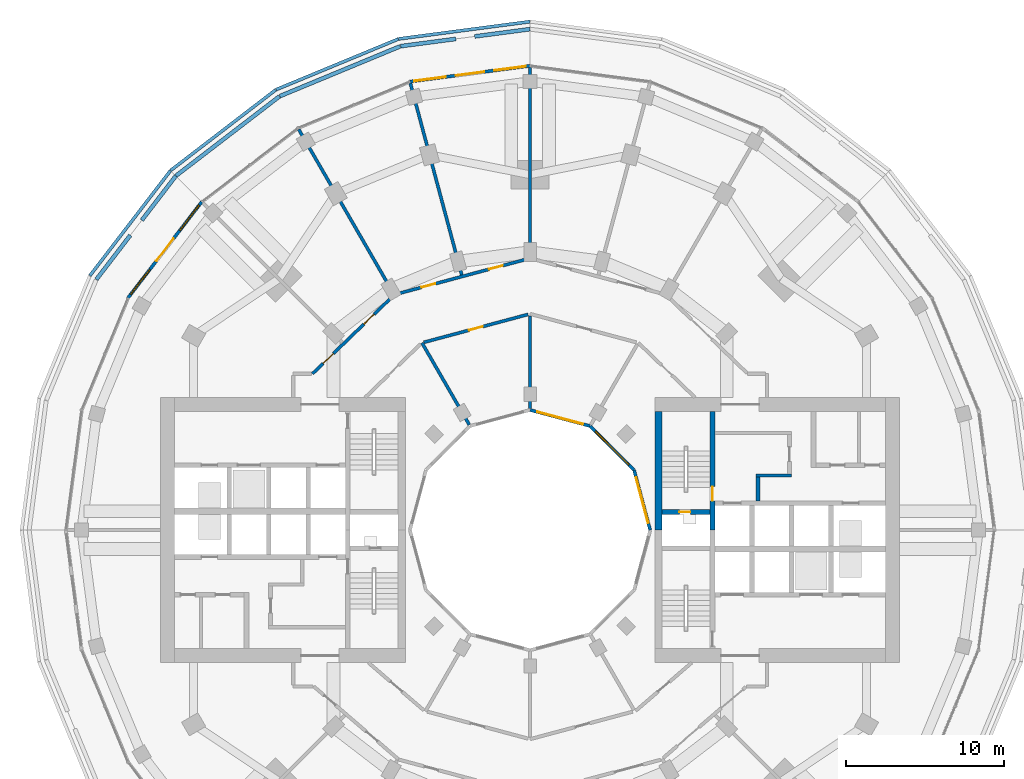
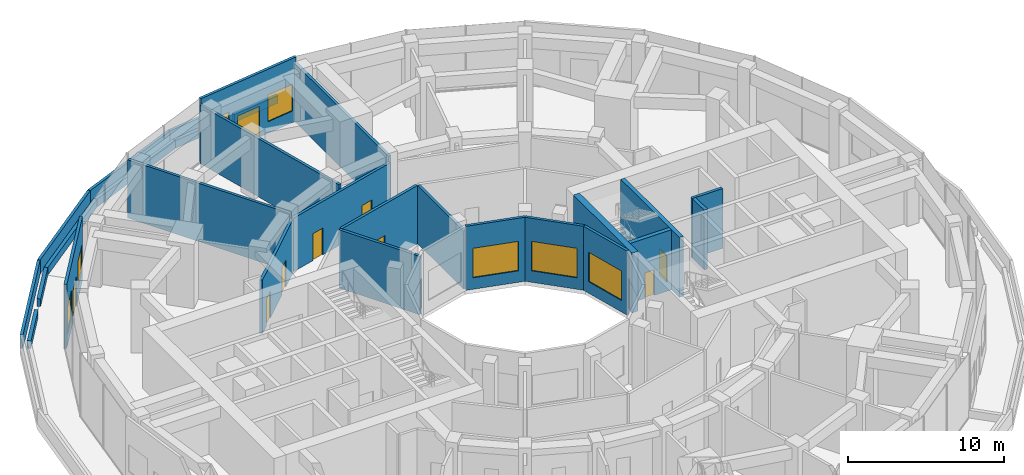
# One storey, part 15 of 19: 28 walls, 9 doors, 7 windows, 16 openings.
"""IFC4 building model written with IfcOpenShell, lengths in metres."""

from ifc_helpers import new_model, si_unit, direction, frame, frame_2d, origin, place, context, subcontext, project, spatial, rectangle, extrude, material, layer, layer_set, type_object, element, fill, save


model = new_model("IFC4")

# Units and contexts
model_context = context("Model", 3, precision=1e-05, world=origin(), true_north=direction((0.0, 1.0)))
body_context = subcontext(model_context, "Body", "Model", "MODEL_VIEW")
ifc_project = project(units=[si_unit("LENGTHUNIT", "METRE"), si_unit("AREAUNIT", "SQUARE_METRE"), si_unit("VOLUMEUNIT", "CUBIC_METRE"), si_unit("PLANEANGLEUNIT", "RADIAN"), si_unit("MASSUNIT", "GRAM", prefix="KILO")], contexts=[model_context])

# Site, building, storey
site_placement = place(None, origin())
site = spatial("IfcSite", under=ifc_project, at=site_placement, CompositionType="ELEMENT")
building_placement = place(site_placement, origin())
building = spatial("IfcBuilding", under=site, at=building_placement, Name="Torre Brocal", CompositionType="ELEMENT")
storey_placement = place(building_placement, frame((0.0, 0.0, 23.800048828125)))
storey = spatial("IfcBuildingStorey", under=building, at=storey_placement, Name="L04", CompositionType="ELEMENT", Elevation=23.800048828125)

# Walls
ifc_material_1 = material(Name="Concrete C80", Category="concrete")
ifc_layer_1 = layer(ifc_material_1, 0.199951171875)
ifc_layer_set_1 = layer_set([ifc_layer_1], Name="Concrete C80")
wall_type_1 = type_object("IfcWallType", Name="CORE WALL 200 C80", PredefinedType="SHEAR", material=ifc_layer_set_1)
wall_1_placement = place(storey_placement, frame((94.300048828125, 78.449951171875, 0.0), z_axis=(0.0, 0.0, 1.0), x_axis=(1.0, 0.0, 0.0)))
element("IfcWall", 1, at=wall_1_placement, inside=storey, type_object=wall_type_1, Name="Wall CW200-80", PredefinedType="SHEAR", context=body_context, shape_type="SweptSolid", body=[
    extrude(rectangle(XDim=2.25, YDim=0.199951171875, at=frame_2d((1.125, 0.0))), origin(), (0.0, 0.0, 1.0), 4.679931640625),
])
ifc_material_2 = material(Name="Concrete C80", Category="concrete")
ifc_layer_2 = layer(ifc_material_2, 0.25)
ifc_layer_set_2 = layer_set([ifc_layer_2], Name="Concrete C80")
wall_type_2 = type_object("IfcWallType", Name="CORE WALL 250 C80", PredefinedType="SHEAR", material=ifc_layer_set_2)
wall_2_placement = place(storey_placement, frame((94.425048828125, 76.85009765625, 0.0), z_axis=(0.0, 0.0, 1.0), x_axis=(0.0, 1.0, 0.0)))
element("IfcWall", 2, at=wall_2_placement, inside=storey, type_object=wall_type_2, Name="Wall CW250-80", PredefinedType="SHEAR", context=body_context, shape_type="SweptSolid", body=[
    extrude(rectangle(XDim=1.5, YDim=0.25, at=frame_2d((0.75, 0.0))), origin(), (0.0, 0.0, 1.0), 4.679931640625),
])

# Wall, opening, door
ifc_material_3 = material(Name="Concrete C80", Category="concrete")
ifc_layer_3 = layer(ifc_material_3, 0.300048828125)
ifc_layer_set_3 = layer_set([ifc_layer_3], Name="Concrete C80")
wall_type_3 = type_object("IfcWallType", Name="CORE WALL 300 C80", PredefinedType="SHEAR", material=ifc_layer_set_3)
wall_3_placement = place(storey_placement, frame((91.550048828125, 75.0, 0.0), z_axis=(0.0, 0.0, 1.0), x_axis=(0.0, 1.0, 0.0)))
wall_3 = element("IfcWall", 3, at=wall_3_placement, inside=storey, type_object=wall_type_3, Name="Wall CW300-80", PredefinedType="SHEAR", context=body_context, shape_type="SweptSolid", body=[
    extrude(rectangle(XDim=7.5, YDim=0.300048828125, at=frame_2d((3.75, 0.0))), origin(), (0.0, 0.0, 1.0), 4.679931640625),
])
opening_1_placement = place(wall_3_placement, frame((1.85009765625, 0.0, 0.0)))
opening_1 = element("IfcOpeningElement", 4, at=opening_1_placement, cuts=wall_3, Name="Opening E-D02", PredefinedType="OPENING", context=body_context, shape_type="SweptSolid", body=[
    extrude(rectangle(XDim=0.89990234375, YDim=2.10009765625, at=frame_2d((0.449951171875, 1.050048828125))), frame((0.0, 0.159912109375, 0.0), z_axis=(0.0, -1.0, 0.0), x_axis=(1.0, 0.0, 0.0)), (0.0, 0.0, 1.0), 0.320068359375),
])
ifc_material_4 = material(Name="Steel A653", Category="steel")
door_type_1 = type_object("IfcDoorType", Name="STAIR DOOR FD120 900X2100", OperationType="SINGLE_SWING_RIGHT", PredefinedType="DOOR", material=ifc_material_4)
door_1_placement = place(opening_1_placement, origin())
door_1 = element("IfcDoor", 5, at=door_1_placement, inside=storey, type_object=door_type_1, Name="Door E-D02", OperationType="SINGLE_SWING_LEFT", OverallHeight=2.10009765625, OverallWidth=0.89990234375, PredefinedType="DOOR", context=body_context, shape_type="SweptSolid", body=[
    extrude(rectangle(XDim=0.89990234375, YDim=2.10009765625, at=frame_2d((0.449951171875, 1.050048828125))), frame((0.0, 0.02490234375, 0.0), z_axis=(0.0, -1.0, 0.0), x_axis=(1.0, 0.0, 0.0)), (0.0, 0.0, 1.0), 0.050048828125),
])
fill(opening_1, door_1)

wall_4_placement = place(storey_placement, frame((88.35009765625, 76.14990234375, 0.0), z_axis=(0.0, 0.0, 1.0), x_axis=(1.0, 0.0, 0.0)))
wall_4 = element("IfcWall", 6, at=wall_4_placement, inside=storey, type_object=wall_type_3, Name="Wall CW300-80", PredefinedType="SHEAR", context=body_context, shape_type="SweptSolid", body=[
    extrude(rectangle(XDim=3.0498046875, YDim=0.300048828125, at=frame_2d((1.52490234375, 0.0))), origin(), (0.0, 0.0, 1.0), 4.679931640625),
])
opening_2_placement = place(wall_4_placement, frame((1.10009765625, 0.0, 0.0)))
opening_2 = element("IfcOpeningElement", 7, at=opening_2_placement, cuts=wall_4, Name="Opening E-D01", PredefinedType="OPENING", context=body_context, shape_type="SweptSolid", body=[
    extrude(rectangle(XDim=0.699951171875, YDim=2.0, at=frame_2d((0.35009765625, 1.0))), frame((0.0, 0.159912109375, 0.0), z_axis=(0.0, -1.0, 0.0), x_axis=(1.0, 0.0, 0.0)), (0.0, 0.0, 1.0), 0.320068359375),
])
ifc_material_5 = material(Name="Steel A653", Category="steel")
door_type_2 = type_object("IfcDoorType", Name="RISER DOOR FD120 700X2000", OperationType="SINGLE_SWING_LEFT", PredefinedType="DOOR", material=ifc_material_5)
door_2_placement = place(opening_2_placement, frame((0.699951171875, 0.0, 0.0), z_axis=(0.0, 0.0, 1.0), x_axis=(-1.0, 0.0, 0.0)))
door_2 = element("IfcDoor", 8, at=door_2_placement, inside=storey, type_object=door_type_2, Name="Door E-D01", OperationType="SINGLE_SWING_RIGHT", OverallHeight=2.0, OverallWidth=0.699951171875, PredefinedType="DOOR", context=body_context, shape_type="SweptSolid", body=[
    extrude(rectangle(XDim=0.699951171875, YDim=2.0, at=frame_2d((0.35009765625, 1.0))), frame((0.0, 0.02490234375, 0.0), z_axis=(0.0, -1.0, 0.0), x_axis=(1.0, 0.0, 0.0)), (0.0, 0.0, 1.0), 0.050048828125),
])
fill(opening_2, door_2)

# Wall
ifc_material_6 = material(Name="Concrete C80", Category="concrete")
ifc_layer_4 = layer(ifc_material_6, 0.449951171875)
ifc_layer_set_4 = layer_set([ifc_layer_4], Name="Concrete C80")
wall_type_4 = type_object("IfcWallType", Name="CORE WALL 450 C80", PredefinedType="SHEAR", material=ifc_layer_set_4)
wall_5_placement = place(storey_placement, frame((88.125, 75.0, 0.0), z_axis=(0.0, 0.0, 1.0), x_axis=(0.0, 1.0, 0.0)))
element("IfcWall", 9, at=wall_5_placement, inside=storey, type_object=wall_type_4, Name="Wall CW450-80", PredefinedType="SHEAR", context=body_context, shape_type="SweptSolid", body=[
    extrude(rectangle(XDim=7.5, YDim=0.449951171875, at=frame_2d((3.75, 0.0))), origin(), (0.0, 0.0, 1.0), 4.679931640625),
])

# Wall, openings, windows, door
ifc_material_7 = material(Name="Concrete C40", Category="concrete")
ifc_layer_5 = layer(ifc_material_7, 0.199951171875)
ifc_layer_set_5 = layer_set([ifc_layer_5], Name="Concrete C40")
wall_type_5 = type_object("IfcWallType", Name="EXTERNAL WALL 200", PredefinedType="NOTDEFINED", material=ifc_layer_set_5)
wall_6_placement = place(storey_placement, frame((80.0, 104.399169921875, 0.0), z_axis=(0.0, 0.0, 1.0), x_axis=(-0.991445739805, -0.130519519698, 0.0)))
wall_6 = element("IfcWall", 10, at=wall_6_placement, inside=storey, type_object=wall_type_5, Name="EXTERNAL WALL", PredefinedType="NOTDEFINED", context=body_context, shape_type="SweptSolid", body=[
    extrude(rectangle(XDim=7.6748046875, YDim=0.199951171875, at=frame_2d((3.83740234375, 0.0))), origin(), (0.0, 0.0, 1.0), 5.0),
])
opening_3_placement = place(wall_6_placement, frame((0.279052734375, 0.0, 0.89990234375)))
opening_3 = element("IfcOpeningElement", 11, at=opening_3_placement, cuts=wall_6, Name="Opening W8", PredefinedType="OPENING", context=body_context, shape_type="SweptSolid", body=[
    extrude(rectangle(XDim=2.0, YDim=2.10009765625, at=frame_2d((1.0, 1.050048828125))), frame((0.0, 0.10986328125, 0.0), z_axis=(0.0, -1.0, 0.0), x_axis=(1.0, 0.0, 0.0)), (0.0, 0.0, 1.0), 0.219970703125),
])
opening_4_placement = place(wall_6_placement, frame((2.937255859375, 0.0, 0.0)))
opening_4 = element("IfcOpeningElement", 12, at=opening_4_placement, cuts=wall_6, Name="Opening L04-E03", PredefinedType="OPENING", context=body_context, shape_type="SweptSolid", body=[
    extrude(rectangle(XDim=1.800048828125, YDim=2.39990234375, at=frame_2d((0.89990234375, 1.199951171875))), frame((0.0, 0.10986328125, 0.0), z_axis=(0.0, -1.0, 0.0), x_axis=(1.0, 0.0, 0.0)), (0.0, 0.0, 1.0), 0.219970703125),
])
opening_5_placement = place(wall_6_placement, frame((5.3955078125, 0.0, 0.89990234375)))
opening_5 = element("IfcOpeningElement", 13, at=opening_5_placement, cuts=wall_6, Name="Opening W8", PredefinedType="OPENING", context=body_context, shape_type="SweptSolid", body=[
    extrude(rectangle(XDim=2.0, YDim=2.10009765625, at=frame_2d((1.0, 1.050048828125))), frame((0.0, 0.10986328125, 0.0), z_axis=(0.0, -1.0, 0.0), x_axis=(1.0, 0.0, 0.0)), (0.0, 0.0, 1.0), 0.219970703125),
])
ifc_material_8 = material(Name="Aluminium and glass", Category="aluminium")
window_type_1 = type_object("IfcWindowType", Name="PODIUM WINDOW 2000X2100", PartitioningType="SINGLE_PANEL", PredefinedType="WINDOW", material=ifc_material_8)
window_1_placement = place(opening_3_placement, origin())
window_1 = element("IfcWindow", 14, at=window_1_placement, inside=storey, type_object=window_type_1, Name="PODIUM WINDOW 2000X2100", OverallHeight=2.10009765625, OverallWidth=2.0, PartitioningType="SINGLE_PANEL", PredefinedType="WINDOW", context=body_context, shape_type="SweptSolid", body=[
    extrude(rectangle(XDim=2.0, YDim=2.10009765625, at=frame_2d((1.0, 1.050048828125))), frame((0.0, 0.030029296875, 0.0), z_axis=(0.0, -1.0, 0.0), x_axis=(1.0, 0.0, 0.0)), (0.0, 0.0, 1.0), 0.06005859375),
])
fill(opening_3, window_1)
window_2_placement = place(opening_5_placement, origin())
window_2 = element("IfcWindow", 15, at=window_2_placement, inside=storey, type_object=window_type_1, Name="PODIUM WINDOW 2000X2100", OverallHeight=2.10009765625, OverallWidth=2.0, PartitioningType="SINGLE_PANEL", PredefinedType="WINDOW", context=body_context, shape_type="SweptSolid", body=[
    extrude(rectangle(XDim=2.0, YDim=2.10009765625, at=frame_2d((1.0, 1.050048828125))), frame((0.0, 0.030029296875, 0.0), z_axis=(0.0, -1.0, 0.0), x_axis=(1.0, 0.0, 0.0)), (0.0, 0.0, 1.0), 0.06005859375),
])
fill(opening_5, window_2)
ifc_material_9 = material(Name="Aluminium and glass", Category="aluminium")
door_type_3 = type_object("IfcDoorType", Name="TERRACE DOUBLE DOOR 1800X2400", OperationType="DOUBLE_DOOR_SINGLE_SWING", PredefinedType="DOOR", material=ifc_material_9)
door_3_placement = place(opening_4_placement, frame((1.800048828125, 0.0, 0.0), z_axis=(0.0, 0.0, 1.0), x_axis=(-1.0, 0.0, 0.0)))
door_3 = element("IfcDoor", 16, at=door_3_placement, inside=storey, type_object=door_type_3, Name="DOOR L04-E03", OperationType="DOUBLE_DOOR_SINGLE_SWING", OverallHeight=2.39990234375, OverallWidth=1.800048828125, PredefinedType="DOOR", context=body_context, shape_type="SweptSolid", body=[
    extrude(rectangle(XDim=1.800048828125, YDim=2.39990234375, at=frame_2d((0.89990234375, 1.199951171875))), frame((0.0, 0.02490234375, 0.0), z_axis=(0.0, -1.0, 0.0), x_axis=(1.0, 0.0, 0.0)), (0.0, 0.0, 1.0), 0.050048828125),
])
fill(opening_4, door_3)

wall_7_placement = place(storey_placement, frame((59.211669921875, 95.788330078125, 0.0), z_axis=(0.0, 0.0, 1.0), x_axis=(-0.608758724447, -0.793355415567, 0.0)))
wall_7 = element("IfcWall", 17, at=wall_7_placement, inside=storey, type_object=wall_type_5, Name="EXTERNAL WALL", PredefinedType="NOTDEFINED", context=body_context, shape_type="SweptSolid", body=[
    extrude(rectangle(XDim=7.6748046875, YDim=0.199951171875, at=frame_2d((3.83740234375, 0.0))), origin(), (0.0, 0.0, 1.0), 5.0),
])
opening_6_placement = place(wall_7_placement, frame((0.279052734375, 0.0, 0.89990234375)))
opening_6 = element("IfcOpeningElement", 18, at=opening_6_placement, cuts=wall_7, Name="Opening W8", PredefinedType="OPENING", context=body_context, shape_type="SweptSolid", body=[
    extrude(rectangle(XDim=2.0, YDim=2.10009765625, at=frame_2d((1.0, 1.050048828125))), frame((0.0, 0.10986328125, 0.0), z_axis=(0.0, -1.0, 0.0), x_axis=(1.0, 0.0, 0.0)), (0.0, 0.0, 1.0), 0.219970703125),
])
opening_7_placement = place(wall_7_placement, frame((2.937255859375, 0.0, 0.0)))
opening_7 = element("IfcOpeningElement", 19, at=opening_7_placement, cuts=wall_7, Name="Opening L04-E04", PredefinedType="OPENING", context=body_context, shape_type="SweptSolid", body=[
    extrude(rectangle(XDim=1.800048828125, YDim=2.39990234375, at=frame_2d((0.89990234375, 1.199951171875))), frame((0.0, 0.10986328125, 0.0), z_axis=(0.0, -1.0, 0.0), x_axis=(1.0, 0.0, 0.0)), (0.0, 0.0, 1.0), 0.219970703125),
])
opening_8_placement = place(wall_7_placement, frame((5.3955078125, 0.0, 0.89990234375)))
opening_8 = element("IfcOpeningElement", 20, at=opening_8_placement, cuts=wall_7, Name="Opening W8", PredefinedType="OPENING", context=body_context, shape_type="SweptSolid", body=[
    extrude(rectangle(XDim=2.0, YDim=2.10009765625, at=frame_2d((1.0, 1.050048828125))), frame((0.0, 0.10986328125, 0.0), z_axis=(0.0, -1.0, 0.0), x_axis=(1.0, 0.0, 0.0)), (0.0, 0.0, 1.0), 0.219970703125),
])
window_3_placement = place(opening_6_placement, origin())
window_3 = element("IfcWindow", 21, at=window_3_placement, inside=storey, type_object=window_type_1, Name="PODIUM WINDOW 2000X2100", OverallHeight=2.10009765625, OverallWidth=2.0, PartitioningType="SINGLE_PANEL", PredefinedType="WINDOW", context=body_context, shape_type="SweptSolid", body=[
    extrude(rectangle(XDim=2.0, YDim=2.10009765625, at=frame_2d((1.0, 1.050048828125))), frame((0.0, 0.030029296875, 0.0), z_axis=(0.0, -1.0, 0.0), x_axis=(1.0, 0.0, 0.0)), (0.0, 0.0, 1.0), 0.06005859375),
])
fill(opening_6, window_3)
window_4_placement = place(opening_8_placement, origin())
window_4 = element("IfcWindow", 22, at=window_4_placement, inside=storey, type_object=window_type_1, Name="PODIUM WINDOW 2000X2100", OverallHeight=2.10009765625, OverallWidth=2.0, PartitioningType="SINGLE_PANEL", PredefinedType="WINDOW", context=body_context, shape_type="SweptSolid", body=[
    extrude(rectangle(XDim=2.0, YDim=2.10009765625, at=frame_2d((1.0, 1.050048828125))), frame((0.0, 0.030029296875, 0.0), z_axis=(0.0, -1.0, 0.0), x_axis=(1.0, 0.0, 0.0)), (0.0, 0.0, 1.0), 0.06005859375),
])
fill(opening_8, window_4)
door_4_placement = place(opening_7_placement, frame((1.800048828125, 0.0, 0.0), z_axis=(0.0, 0.0, 1.0), x_axis=(-1.0, 0.0, 0.0)))
door_4 = element("IfcDoor", 23, at=door_4_placement, inside=storey, type_object=door_type_3, Name="DOOR L04-E04", OperationType="DOUBLE_DOOR_SINGLE_SWING", OverallHeight=2.39990234375, OverallWidth=1.800048828125, PredefinedType="DOOR", context=body_context, shape_type="SweptSolid", body=[
    extrude(rectangle(XDim=1.800048828125, YDim=2.39990234375, at=frame_2d((0.89990234375, 1.199951171875))), frame((0.0, 0.02490234375, 0.0), z_axis=(0.0, -1.0, 0.0), x_axis=(1.0, 0.0, 0.0)), (0.0, 0.0, 1.0), 0.050048828125),
])
fill(opening_7, door_4)

# Walls
ifc_material_10 = material(Name="Concrete C40", Category="concrete")
ifc_layer_6 = layer(ifc_material_10, 0.199951171875)
ifc_layer_set_6 = layer_set([ifc_layer_6], Name="Concrete C40")
wall_type_6 = type_object("IfcWallType", Name="PARAPET WALL 200 THICK 1100 HIGH 4", PredefinedType="PARAPET", material=ifc_layer_set_6)
for number, where, z_axis, x_axis, name in (
    (24, (52.124267578125, 91.109130859375, 0.0), (0.0, 0.0, 1.0), (0.60876547779, 0.793350233536, 0.0), "PARAPET WALL 15"),
    (25, (57.243408203125, 97.77490234375, 0.0), (0.0, 0.0, 1.0), (0.793350233536, 0.60876547779, 0.0), "PARAPET WALL 16"),
):
    element("IfcWall", number, at=place(storey_placement, frame(where, z_axis=z_axis, x_axis=x_axis)), inside=storey, type_object=wall_type_6, Name=name, PredefinedType="PARAPET", context=body_context, shape_type="SweptSolid", body=[
        extrude(rectangle(XDim=8.37890625, YDim=0.199951171875, at=frame_2d((4.189453125, 0.0))), origin(), (0.0, 0.0, 1.0), 1.099853515625),
    ])
wall_8_placement = place(storey_placement, frame((63.91357421875, 102.888916015625, 0.0), z_axis=(0.0, 0.0, 1.0), x_axis=(0.923884368379, 0.382671757338, 0.0)))
element("IfcWall", 26, at=wall_8_placement, inside=storey, type_object=wall_type_6, Name="PARAPET WALL 17", PredefinedType="PARAPET", context=body_context, shape_type="SweptSolid", body=[
    extrude(rectangle(XDim=8.378662109375, YDim=0.199951171875, at=frame_2d((4.189453125, 0.0))), origin(), (0.0, 0.0, 1.0), 1.099853515625),
])
wall_9_placement = place(storey_placement, frame((71.6796875, 106.10205078125, 0.0), z_axis=(0.0, 0.0, 1.0), x_axis=(0.991443879237, 0.13053365207, 0.0)))
element("IfcWall", 27, at=wall_9_placement, inside=storey, type_object=wall_type_6, Name="PARAPET WALL 18", PredefinedType="PARAPET", context=body_context, shape_type="SweptSolid", body=[
    extrude(rectangle(XDim=8.379150390625, YDim=0.199951171875, at=frame_2d((4.189453125, 0.0))), origin(), (0.0, 0.0, 1.0), 1.099853515625),
])
ifc_material_11 = material(Name="Gypsum board", Category="Gypsum")
ifc_layer_7 = layer(ifc_material_11, 0.199951171875)
ifc_layer_set_7 = layer_set([ifc_layer_7], Name="Gypsum board")
wall_type_7 = type_object("IfcWallType", Name="PARTITION 200 EI60", PredefinedType="PARTITIONING", material=ifc_layer_set_7)
wall_10_placement = place(storey_placement, frame((65.35107421875, 100.372314453125, 0.0), z_axis=(0.0, 0.0, 1.0), x_axis=(0.500009026289, -0.866020192391, 0.0)))
element("IfcWall", 28, at=wall_10_placement, inside=storey, type_object=wall_type_7, Name="PARTY PARTITION", PredefinedType="PARTITIONING", context=body_context, shape_type="SweptSolid", body=[
    extrude(rectangle(XDim=11.995849609375, YDim=0.199951171875, at=frame_2d((5.998046875, 0.0))), origin(), (0.0, 0.0, 1.0), 4.550048828125),
])
wall_11_placement = place(storey_placement, frame((72.4169921875, 103.29931640625, 0.0), z_axis=(0.0, 0.0, 1.0), x_axis=(0.258828603923, -0.96592326496, 0.0)))
element("IfcWall", 29, at=wall_11_placement, inside=storey, type_object=wall_type_7, Name="PARTY PARTITION", PredefinedType="PARTITIONING", context=body_context, shape_type="SweptSolid", body=[
    extrude(rectangle(XDim=12.574462890625, YDim=0.199951171875, at=frame_2d((6.287109375, 0.0))), origin(), (0.0, 0.0, 1.0), 4.550048828125),
])

# Wall, opening, door
wall_12_placement = place(storey_placement, frame((73.2744140625, 86.88818359375, 0.0), z_axis=(0.0, 0.0, 1.0), x_axis=(0.965941353683, 0.258761089124, 0.0)))
wall_12 = element("IfcWall", 30, at=wall_12_placement, inside=storey, type_object=wall_type_7, Name="CORRIDOR WALL", PredefinedType="PARTITIONING", context=body_context, shape_type="SweptSolid", body=[
    extrude(rectangle(XDim=6.832763671875, YDim=0.199951171875, at=frame_2d((3.41650390625, 0.0))), origin(), (0.0, 0.0, 1.0), 4.550048828125),
])
opening_9_placement = place(wall_12_placement, frame((2.96142578125, 0.0, 0.0)))
opening_9 = element("IfcOpeningElement", 31, at=opening_9_placement, cuts=wall_12, Name="Opening PD4-D10", PredefinedType="OPENING", context=body_context, shape_type="SweptSolid", body=[
    extrude(rectangle(XDim=0.89990234375, YDim=2.10009765625, at=frame_2d((0.449951171875, 1.050048828125))), frame((0.0, 0.10986328125, 0.0), z_axis=(0.0, -1.0, 0.0), x_axis=(1.0, 0.0, 0.0)), (0.0, 0.0, 1.0), 0.219970703125),
])
ifc_material_12 = material(Name="Timber", Category="wood")
door_type_4 = type_object("IfcDoorType", Name="ROOM DOOR 900X2100", OperationType="SINGLE_SWING_LEFT", PredefinedType="DOOR", material=ifc_material_12)
door_5_placement = place(opening_9_placement, frame((0.89990234375, 0.0, 0.0), z_axis=(0.0, 0.0, 1.0), x_axis=(-1.0, 0.0, 0.0)))
door_5 = element("IfcDoor", 32, at=door_5_placement, inside=storey, type_object=door_type_4, Name="PD4-D10", OperationType="SINGLE_SWING_RIGHT", OverallHeight=2.10009765625, OverallWidth=0.89990234375, PredefinedType="DOOR", context=body_context, shape_type="SweptSolid", body=[
    extrude(rectangle(XDim=0.89990234375, YDim=2.10009765625, at=frame_2d((0.449951171875, 1.050048828125))), frame((0.0, 0.02490234375, 0.0), z_axis=(0.0, -1.0, 0.0), x_axis=(1.0, 0.0, 0.0)), (0.0, 0.0, 1.0), 0.050048828125),
])
fill(opening_9, door_5)

# Walls
wall_13_placement = place(storey_placement, frame((73.15478515625, 86.85595703125, 0.0), z_axis=(0.0, 0.0, 1.0), x_axis=(0.499999919892, -0.866025450035, 0.0)))
element("IfcWall", 33, at=wall_13_placement, inside=storey, type_object=wall_type_7, Name="SERVICE ROOM WALL", PredefinedType="PARTITIONING", context=body_context, shape_type="SweptSolid", body=[
    extrude(rectangle(XDim=5.99169921875, YDim=0.199951171875, at=frame_2d((2.995849609375, 0.0))), origin(), (0.0, 0.0, 1.0), 4.550048828125),
])
wall_14_placement = place(storey_placement, frame((80.0, 82.698974609375, 0.0), z_axis=(0.0, 0.0, 1.0), x_axis=(0.0, 1.0, 0.0)))
element("IfcWall", 34, at=wall_14_placement, inside=storey, type_object=wall_type_7, Name="SERVICE ROOM WALL", PredefinedType="PARTITIONING", context=body_context, shape_type="SweptSolid", body=[
    extrude(rectangle(XDim=5.861083984375, YDim=0.199951171875, at=frame_2d((2.9306640625, 0.0))), origin(), (0.0, 0.0, 1.0), 4.550048828125),
])
wall_15_placement = place(storey_placement, frame((80.0, 92.300048828125, 0.0), z_axis=(0.0, 0.0, 1.0), x_axis=(0.0, 1.0, 0.0)))
element("IfcWall", 35, at=wall_15_placement, inside=storey, type_object=wall_type_7, Name="PARTY PARTITION", PredefinedType="PARTITIONING", context=body_context, shape_type="SweptSolid", body=[
    extrude(rectangle(XDim=11.998046875, YDim=0.199951171875, at=frame_2d((5.9990234375, 0.0))), origin(), (0.0, 0.0, 1.0), 4.550048828125),
])

# Wall, openings, doors
ifc_material_13 = material(Name="Gypsum board", Category="Gypsum")
ifc_layer_8 = layer(ifc_material_13, 0.199951171875)
ifc_layer_set_8 = layer_set([ifc_layer_8], Name="Gypsum board")
wall_type_8 = type_object("IfcWallType", Name="PARTITION 200 EI60 UNDER BEAM 820", PredefinedType="PARTITIONING", material=ifc_layer_set_8)
wall_16_placement = place(storey_placement, frame((66.22021484375, 84.899658203125, 0.0), z_axis=(0.0, 0.0, 1.0), x_axis=(0.719621348931, 0.694366700068, 0.0)))
wall_16 = element("IfcWall", 36, at=wall_16_placement, inside=storey, type_object=wall_type_8, Name="CORRIDOR WALL", PredefinedType="PARTITIONING", context=body_context, shape_type="SweptSolid", body=[
    extrude(rectangle(XDim=7.173095703125, YDim=0.199951171875, at=frame_2d((3.58642578125, 0.0))), origin(), (0.0, 0.0, 1.0), 4.179931640625),
])
opening_10_placement = place(wall_16_placement, frame((4.5185546875, 0.0, 0.0)))
opening_10 = element("IfcOpeningElement", 37, at=opening_10_placement, cuts=wall_16, Name="Opening PD4-D06", PredefinedType="OPENING", context=body_context, shape_type="SweptSolid", body=[
    extrude(rectangle(XDim=0.89990234375, YDim=2.10009765625, at=frame_2d((0.449951171875, 1.050048828125))), frame((0.0, 0.10986328125, 0.0), z_axis=(0.0, -1.0, 0.0), x_axis=(1.0, 0.0, 0.0)), (0.0, 0.0, 1.0), 0.219970703125),
])
opening_11_placement = place(wall_16_placement, frame((0.931884765625, 0.0, 0.0)))
opening_11 = element("IfcOpeningElement", 38, at=opening_11_placement, cuts=wall_16, Name="Opening PD4-D07", PredefinedType="OPENING", context=body_context, shape_type="SweptSolid", body=[
    extrude(rectangle(XDim=0.89990234375, YDim=2.10009765625, at=frame_2d((0.449951171875, 1.050048828125))), frame((0.0, 0.10986328125, 0.0), z_axis=(0.0, -1.0, 0.0), x_axis=(1.0, 0.0, 0.0)), (0.0, 0.0, 1.0), 0.219970703125),
])
door_6_placement = place(opening_10_placement, origin())
door_6 = element("IfcDoor", 39, at=door_6_placement, inside=storey, type_object=door_type_4, Name="PD4-D06", OperationType="SINGLE_SWING_LEFT", OverallHeight=2.10009765625, OverallWidth=0.89990234375, PredefinedType="DOOR", context=body_context, shape_type="SweptSolid", body=[
    extrude(rectangle(XDim=0.89990234375, YDim=2.10009765625, at=frame_2d((0.449951171875, 1.050048828125))), frame((0.0, 0.02490234375, 0.0), z_axis=(0.0, -1.0, 0.0), x_axis=(1.0, 0.0, 0.0)), (0.0, 0.0, 1.0), 0.050048828125),
])
fill(opening_10, door_6)
door_7_placement = place(opening_11_placement, origin())
door_7 = element("IfcDoor", 40, at=door_7_placement, inside=storey, type_object=door_type_4, Name="PD4-D07", OperationType="SINGLE_SWING_RIGHT", OverallHeight=2.10009765625, OverallWidth=0.89990234375, PredefinedType="DOOR", context=body_context, shape_type="SweptSolid", body=[
    extrude(rectangle(XDim=0.89990234375, YDim=2.10009765625, at=frame_2d((0.449951171875, 1.050048828125))), frame((0.0, 0.02490234375, 0.0), z_axis=(0.0, -1.0, 0.0), x_axis=(1.0, 0.0, 0.0)), (0.0, 0.0, 1.0), 0.050048828125),
])
fill(opening_11, door_7)

wall_17_placement = place(storey_placement, frame((71.410888671875, 89.907958984375, 0.0), z_axis=(0.0, 0.0, 1.0), x_axis=(0.965907314361, 0.258888122678, 0.0)))
wall_17 = element("IfcWall", 41, at=wall_17_placement, inside=storey, type_object=wall_type_8, Name="CORRIDOR WALL", PredefinedType="PARTITIONING", context=body_context, shape_type="SweptSolid", body=[
    extrude(rectangle(XDim=8.80224609375, YDim=0.199951171875, at=frame_2d((4.401123046875, 0.0))), origin(), (0.0, 0.0, 1.0), 4.179931640625),
])
opening_12_placement = place(wall_17_placement, frame((6.205322265625, 0.0, 0.0)))
opening_12 = element("IfcOpeningElement", 42, at=opening_12_placement, cuts=wall_17, Name="Opening PD4-D04", PredefinedType="OPENING", context=body_context, shape_type="SweptSolid", body=[
    extrude(rectangle(XDim=0.89990234375, YDim=2.10009765625, at=frame_2d((0.449951171875, 1.050048828125))), frame((0.0, 0.10986328125, 0.0), z_axis=(0.0, -1.0, 0.0), x_axis=(1.0, 0.0, 0.0)), (0.0, 0.0, 1.0), 0.219970703125),
])
opening_13_placement = place(wall_17_placement, frame((1.779052734375, 0.0, 0.0)))
opening_13 = element("IfcOpeningElement", 43, at=opening_13_placement, cuts=wall_17, Name="Opening PD4-D05", PredefinedType="OPENING", context=body_context, shape_type="SweptSolid", body=[
    extrude(rectangle(XDim=0.89990234375, YDim=2.10009765625, at=frame_2d((0.449951171875, 1.050048828125))), frame((0.0, 0.10986328125, 0.0), z_axis=(0.0, -1.0, 0.0), x_axis=(1.0, 0.0, 0.0)), (0.0, 0.0, 1.0), 0.219970703125),
])
door_8_placement = place(opening_12_placement, origin())
door_8 = element("IfcDoor", 44, at=door_8_placement, inside=storey, type_object=door_type_4, Name="PD4-D04", OperationType="SINGLE_SWING_LEFT", OverallHeight=2.10009765625, OverallWidth=0.89990234375, PredefinedType="DOOR", context=body_context, shape_type="SweptSolid", body=[
    extrude(rectangle(XDim=0.89990234375, YDim=2.10009765625, at=frame_2d((0.449951171875, 1.050048828125))), frame((0.0, 0.02490234375, 0.0), z_axis=(0.0, -1.0, 0.0), x_axis=(1.0, 0.0, 0.0)), (0.0, 0.0, 1.0), 0.050048828125),
])
fill(opening_12, door_8)
door_9_placement = place(opening_13_placement, origin())
door_9 = element("IfcDoor", 45, at=door_9_placement, inside=storey, type_object=door_type_4, Name="PD4-D05", OperationType="SINGLE_SWING_RIGHT", OverallHeight=2.10009765625, OverallWidth=0.89990234375, PredefinedType="DOOR", context=body_context, shape_type="SweptSolid", body=[
    extrude(rectangle(XDim=0.89990234375, YDim=2.10009765625, at=frame_2d((0.449951171875, 1.050048828125))), frame((0.0, 0.02490234375, 0.0), z_axis=(0.0, -1.0, 0.0), x_axis=(1.0, 0.0, 0.0)), (0.0, 0.0, 1.0), 0.050048828125),
])
fill(opening_13, door_9)

# Walls
ifc_material_14 = material(Name="Concrete C35", Category="concrete")
ifc_layer_9 = layer(ifc_material_14, 0.25)
ifc_layer_set_9 = layer_set([ifc_layer_9], Name="Concrete C35")
wall_type_9 = type_object("IfcWallType", Name="PLANTER WALL 250 THICK 600 HIGH 4", PredefinedType="USERDEFINED", material=ifc_layer_set_9)
wall_18_placement = place(storey_placement, frame((57.577880859375, 97.43359375, 0.0), z_axis=(0.0, 0.0, 1.0), x_axis=(0.793340216104, 0.608778532401, 0.0)))
element("IfcWall", 46, at=wall_18_placement, inside=storey, type_object=wall_type_9, Name="PLANTER", ObjectType="PLANTER", PredefinedType="USERDEFINED", context=body_context, shape_type="SweptSolid", body=[
    extrude(rectangle(XDim=8.255615234375, YDim=0.25, at=frame_2d((4.1279296875, 0.0))), origin(), (0.0, 0.0, 1.0), 0.599853515625),
])
wall_19_placement = place(storey_placement, frame((64.15576171875, 102.475830078125, 0.0), z_axis=(0.0, 0.0, 1.0), x_axis=(0.923885867246, 0.382668138606, 0.0)))
element("IfcWall", 47, at=wall_19_placement, inside=storey, type_object=wall_type_9, Name="PLANTER", ObjectType="PLANTER", PredefinedType="USERDEFINED", context=body_context, shape_type="SweptSolid", body=[
    extrude(rectangle(XDim=8.247314453125, YDim=0.25, at=frame_2d((4.12353515625, 0.0))), origin(), (0.0, 0.0, 1.0), 0.599853515625),
])
wall_20_placement = place(storey_placement, frame((71.806884765625, 105.640380859375, 0.0), z_axis=(0.0, 0.0, 1.0), x_axis=(0.991443207757, 0.130538752073, 0.0)))
element("IfcWall", 48, at=wall_20_placement, inside=storey, type_object=wall_type_9, Name="PLANTER", ObjectType="PLANTER", PredefinedType="USERDEFINED", context=body_context, shape_type="SweptSolid", body=[
    extrude(rectangle(XDim=3.5234375, YDim=0.25, at=frame_2d((1.76171875, 0.0))), origin(), (0.0, 0.0, 1.0), 0.599853515625),
])
wall_21_placement = place(storey_placement, frame((76.490234375, 106.2568359375, 0.0), z_axis=(0.0, 0.0, 1.0), x_axis=(0.991441615189, 0.130550847075, 0.0)))
element("IfcWall", 49, at=wall_21_placement, inside=storey, type_object=wall_type_9, Name="PLANTER", ObjectType="PLANTER", PredefinedType="USERDEFINED", context=body_context, shape_type="SweptSolid", body=[
    extrude(rectangle(XDim=3.5400390625, YDim=0.25, at=frame_2d((1.77001953125, 0.0))), origin(), (0.0, 0.0, 1.0), 0.599853515625),
])
wall_22_placement = place(storey_placement, frame((52.54052734375, 90.87255859375, 0.0), z_axis=(0.0, 0.0, 1.0), x_axis=(0.608766051188, 0.793349793547, 0.0)))
element("IfcWall", 50, at=wall_22_placement, inside=storey, type_object=wall_type_9, Name="PLANTER", ObjectType="PLANTER", PredefinedType="USERDEFINED", context=body_context, shape_type="SweptSolid", body=[
    extrude(rectangle(XDim=3.5234375, YDim=0.25, at=frame_2d((1.76171875, 0.0))), origin(), (0.0, 0.0, 1.0), 0.599853515625),
])
wall_23_placement = place(storey_placement, frame((55.416259765625, 94.6201171875, 0.0), z_axis=(0.0, 0.0, 1.0), x_axis=(0.608747119025, 0.793364320523, 0.0)))
element("IfcWall", 51, at=wall_23_placement, inside=storey, type_object=wall_type_9, Name="PLANTER", ObjectType="PLANTER", PredefinedType="USERDEFINED", context=body_context, shape_type="SweptSolid", body=[
    extrude(rectangle(XDim=3.5400390625, YDim=0.25, at=frame_2d((1.77001953125, 0.0))), origin(), (0.0, 0.0, 1.0), 0.599853515625),
])

# Wall, opening, window
ifc_material_15 = material(Name="Concrete C40", Category="concrete")
ifc_layer_10 = layer(ifc_material_15, 0.199951171875)
ifc_layer_set_10 = layer_set([ifc_layer_10], Name="Concrete C40")
wall_type_10 = type_object("IfcWallType", Name="WELL FACADE WALL 200", PredefinedType="NOTDEFINED", material=ifc_layer_set_10)
wall_24_placement = place(storey_placement, frame((87.603515625, 75.0, 0.0), z_axis=(0.0, 0.0, 1.0), x_axis=(-0.258789828301, 0.965933654434, 0.0)))
wall_24 = element("IfcWall", 52, at=wall_24_placement, inside=storey, type_object=wall_type_10, Name="WELL FACADE WALL", PredefinedType="NOTDEFINED", context=body_context, shape_type="SweptSolid", body=[
    extrude(rectangle(XDim=3.935791015625, YDim=0.199951171875, at=frame_2d((1.9677734375, 0.0))), origin(), (0.0, 0.0, 1.0), 5.0),
])
opening_14_placement = place(wall_24_placement, frame((0.468017578125, 0.0, 0.89990234375)))
opening_14 = element("IfcOpeningElement", 53, at=opening_14_placement, cuts=wall_24, Name="Opening W1", PredefinedType="OPENING", context=body_context, shape_type="SweptSolid", body=[
    extrude(rectangle(XDim=3.0, YDim=2.300048828125, at=frame_2d((1.5, 1.14990234375))), frame((0.0, 0.10986328125, 0.0), z_axis=(0.0, -1.0, 0.0), x_axis=(1.0, 0.0, 0.0)), (0.0, 0.0, 1.0), 0.219970703125),
])
ifc_material_16 = material(Name="Aluminium and glass", Category="aluminium")
window_type_2 = type_object("IfcWindowType", Name="WELL WINDOW 3000X2300", PartitioningType="SINGLE_PANEL", PredefinedType="WINDOW", material=ifc_material_16)
window_5_placement = place(opening_14_placement, origin())
window_5 = element("IfcWindow", 54, at=window_5_placement, inside=storey, type_object=window_type_2, Name="WELL WINDOW 3000X2300", OverallHeight=2.300048828125, OverallWidth=3.0, PartitioningType="SINGLE_PANEL", PredefinedType="WINDOW", context=body_context, shape_type="SweptSolid", body=[
    extrude(rectangle(XDim=3.0, YDim=2.300048828125, at=frame_2d((1.5, 1.14990234375))), frame((0.0, 0.030029296875, 0.0), z_axis=(0.0, -1.0, 0.0), x_axis=(1.0, 0.0, 0.0)), (0.0, 0.0, 1.0), 0.06005859375),
])
fill(opening_14, window_5)

wall_25_placement = place(storey_placement, frame((86.5849609375, 78.8017578125, 0.0), z_axis=(0.0, 0.0, 1.0), x_axis=(-0.707106781187, 0.707106781187, 0.0)))
wall_25 = element("IfcWall", 55, at=wall_25_placement, inside=storey, type_object=wall_type_10, Name="WELL FACADE WALL", PredefinedType="NOTDEFINED", context=body_context, shape_type="SweptSolid", body=[
    extrude(rectangle(XDim=3.93603515625, YDim=0.199951171875, at=frame_2d((1.968017578125, 0.0))), origin(), (0.0, 0.0, 1.0), 5.0),
])
opening_15_placement = place(wall_25_placement, frame((0.468017578125, 0.0, 0.89990234375)))
opening_15 = element("IfcOpeningElement", 56, at=opening_15_placement, cuts=wall_25, Name="Opening W1", PredefinedType="OPENING", context=body_context, shape_type="SweptSolid", body=[
    extrude(rectangle(XDim=3.0, YDim=2.300048828125, at=frame_2d((1.5, 1.14990234375))), frame((0.0, 0.10986328125, 0.0), z_axis=(0.0, -1.0, 0.0), x_axis=(1.0, 0.0, 0.0)), (0.0, 0.0, 1.0), 0.219970703125),
])
window_6_placement = place(opening_15_placement, origin())
window_6 = element("IfcWindow", 57, at=window_6_placement, inside=storey, type_object=window_type_2, Name="WELL WINDOW 3000X2300", OverallHeight=2.300048828125, OverallWidth=3.0, PartitioningType="SINGLE_PANEL", PredefinedType="WINDOW", context=body_context, shape_type="SweptSolid", body=[
    extrude(rectangle(XDim=3.0, YDim=2.300048828125, at=frame_2d((1.5, 1.14990234375))), frame((0.0, 0.030029296875, 0.0), z_axis=(0.0, -1.0, 0.0), x_axis=(1.0, 0.0, 0.0)), (0.0, 0.0, 1.0), 0.06005859375),
])
fill(opening_15, window_6)

wall_26_placement = place(storey_placement, frame((83.8017578125, 81.5849609375, 0.0), z_axis=(0.0, 0.0, 1.0), x_axis=(-0.965933654434, 0.258789828301, 0.0)))
wall_26 = element("IfcWall", 58, at=wall_26_placement, inside=storey, type_object=wall_type_10, Name="WELL FACADE WALL", PredefinedType="NOTDEFINED", context=body_context, shape_type="SweptSolid", body=[
    extrude(rectangle(XDim=3.935791015625, YDim=0.199951171875, at=frame_2d((1.9677734375, 0.0))), origin(), (0.0, 0.0, 1.0), 5.0),
])
opening_16_placement = place(wall_26_placement, frame((0.468017578125, 0.0, 0.89990234375)))
opening_16 = element("IfcOpeningElement", 59, at=opening_16_placement, cuts=wall_26, Name="Opening W1", PredefinedType="OPENING", context=body_context, shape_type="SweptSolid", body=[
    extrude(rectangle(XDim=3.0, YDim=2.300048828125, at=frame_2d((1.5, 1.14990234375))), frame((0.0, 0.10986328125, 0.0), z_axis=(0.0, -1.0, 0.0), x_axis=(1.0, 0.0, 0.0)), (0.0, 0.0, 1.0), 0.219970703125),
])
window_7_placement = place(opening_16_placement, origin())
window_7 = element("IfcWindow", 60, at=window_7_placement, inside=storey, type_object=window_type_2, Name="WELL WINDOW 3000X2300", OverallHeight=2.300048828125, OverallWidth=3.0, PartitioningType="SINGLE_PANEL", PredefinedType="WINDOW", context=body_context, shape_type="SweptSolid", body=[
    extrude(rectangle(XDim=3.0, YDim=2.300048828125, at=frame_2d((1.5, 1.14990234375))), frame((0.0, 0.030029296875, 0.0), z_axis=(0.0, -1.0, 0.0), x_axis=(1.0, 0.0, 0.0)), (0.0, 0.0, 1.0), 0.06005859375),
])
fill(opening_16, window_7)

save(model, "model.ifc")
